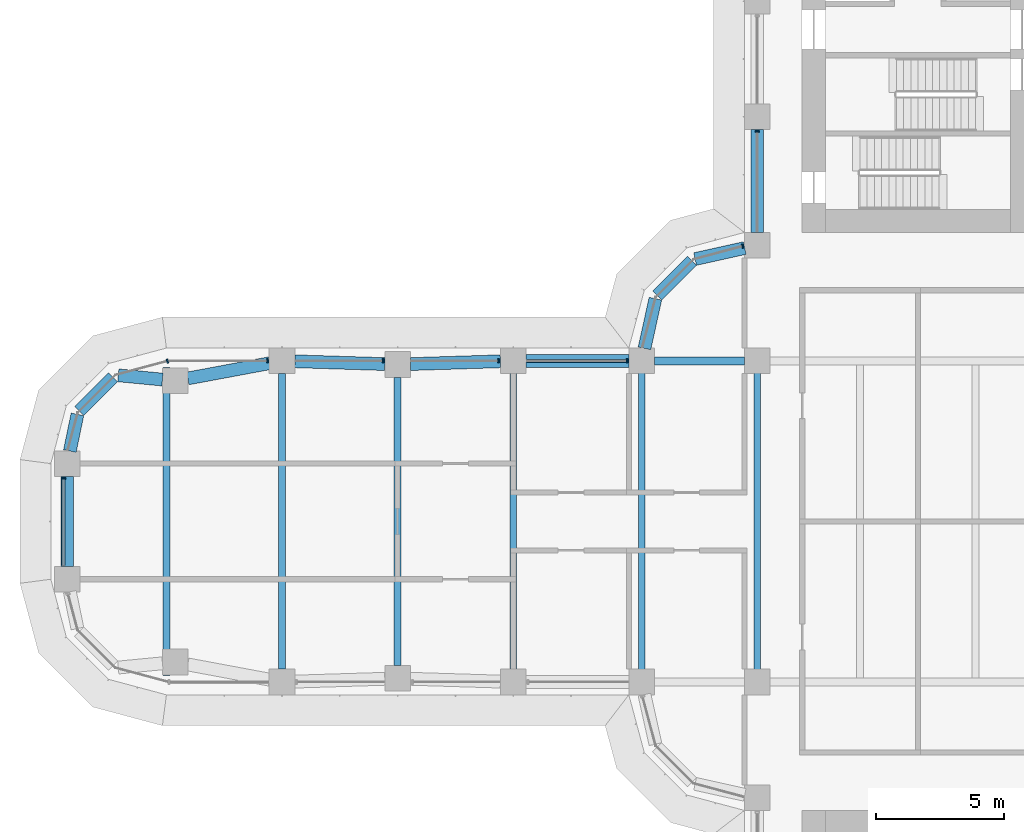
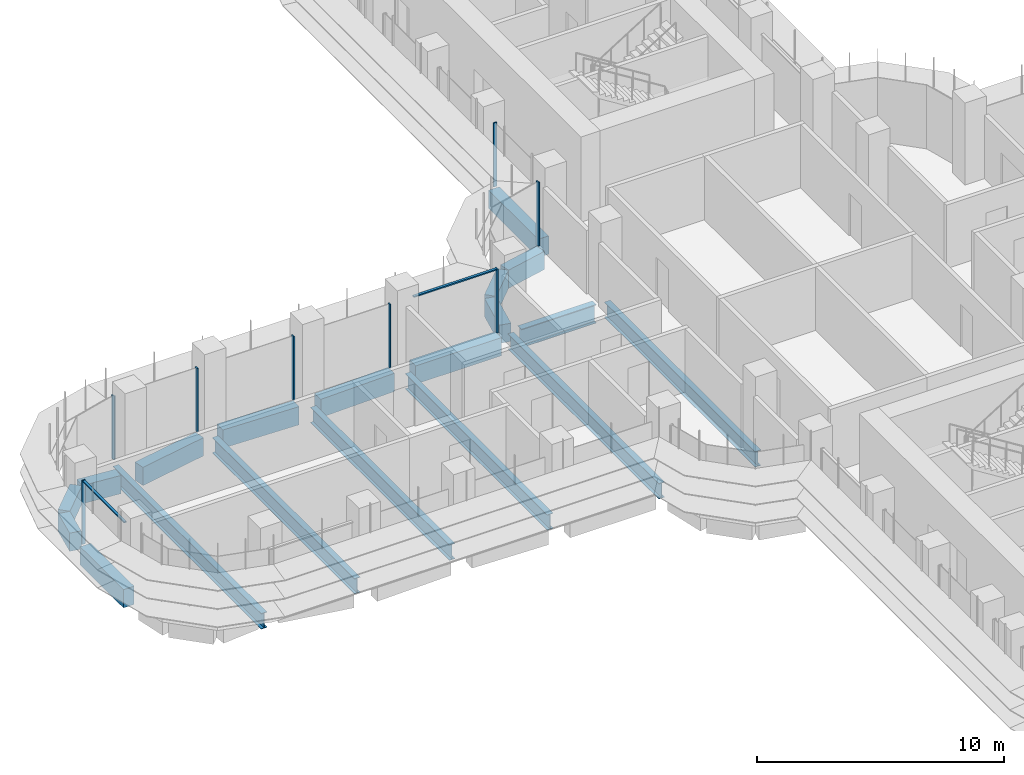
# One storey, part 6 of 23: 19 beams, 10 members, 5 elements without a shape of their own.
"""IFC4 building model written with IfcOpenShell, lengths in metres."""

from ifc_helpers import new_model, si_unit, direction, frame, origin, origin_2d, place, context, subcontext, project, spatial, polyline, rectangle, i_section, outline, extrude, source, transform, mapped, material, material_profile, profile_set, type_object, element, aggregate, save


model = new_model("IFC4")

# Units and contexts
model_context = context("Model", 3, precision=1e-05, world=origin(), true_north=direction((0.0, 1.0)))
body_context = subcontext(model_context, "Body", "Model", "MODEL_VIEW")
ifc_project = project(units=[si_unit("LENGTHUNIT", "METRE"), si_unit("AREAUNIT", "SQUARE_METRE"), si_unit("VOLUMEUNIT", "CUBIC_METRE"), si_unit("PLANEANGLEUNIT", "RADIAN"), si_unit("MASSUNIT", "GRAM", prefix="KILO")], contexts=[model_context])

# Site, building, storey
site_placement = place(None, origin())
site = spatial("IfcSite", under=ifc_project, at=site_placement, CompositionType="ELEMENT")
building_placement = place(site_placement, origin())
building = spatial("IfcBuilding", under=site, at=building_placement, Name="Zarbagh Exchange Tower", CompositionType="ELEMENT")
storey_placement = place(building_placement, frame((0.0, 0.0, 64.800048828125)))
storey = spatial("IfcBuildingStorey", under=building, at=storey_placement, Name="L14", CompositionType="ELEMENT", Elevation=64.800048828125)

# Beams
ifc_material_1 = material(Name="Steel ASTM A992 Gr 50", Category="steel")
ifc_material_profile_1 = material_profile(ifc_material_1, i_section(OverallWidth=0.2666015625, OverallDepth=0.76708984375, WebThickness=0.014892578125, FlangeThickness=0.023681640625, at=origin_2d()), Name="W30X124")
ifc_profile_set_1 = profile_set([ifc_material_profile_1], Name="Steel ASTM A992 Gr 50")
beam_type_1 = type_object("IfcBeamType", Name="Floor beam W30X124", PredefinedType="BEAM", material=ifc_profile_set_1)
for number, where, z_axis, x_axis, name in (
    (1, (-10.75, -6.09765625, -0.533447265625), (0.0, 1.0, 0.0), (-1.0, 0.0, 0.0), "Steel floor beam"),
    (2, (-6.25, -6.09765625, -0.533447265625), (0.0, 1.0, 0.0), (-1.0, 0.0, 0.0), "Steel floor beam"),
):
    element("IfcBeam", number, at=place(storey_placement, frame(where, z_axis=z_axis, x_axis=x_axis)), inside=storey, type_object=beam_type_1, Name=name, PredefinedType="BEAM", context=body_context, shape_type="SweptSolid", body=[
        extrude(i_section(OverallWidth=0.2666015625, OverallDepth=0.76708984375, WebThickness=0.014892578125, FlangeThickness=0.023681640625, at=origin_2d()), origin(), (0.0, 0.0, 1.0), 12.1953125),
    ])
beam_1_placement = place(storey_placement, frame((-15.75, -5.75, -0.533447265625), z_axis=(0.0, 1.0, 0.0), x_axis=(-1.0, 0.0, 0.0)))
element("IfcBeam", 3, at=beam_1_placement, inside=storey, type_object=beam_type_1, Name="Steel floor beam", PredefinedType="BEAM", context=body_context, shape_type="SweptSolid", body=[
    extrude(i_section(OverallWidth=0.2666015625, OverallDepth=0.76708984375, WebThickness=0.014892578125, FlangeThickness=0.023681640625, at=origin_2d()), origin(), (0.0, 0.0, 1.0), 11.5),
])
beam_2_placement = place(storey_placement, frame((-20.25, -5.610107421875, -0.533447265625), z_axis=(0.0, 1.0, 0.0), x_axis=(-1.0, 0.0, 0.0)))
element("IfcBeam", 4, at=beam_2_placement, inside=storey, type_object=beam_type_1, Name="Steel floor beam", PredefinedType="BEAM", context=body_context, shape_type="SweptSolid", body=[
    extrude(i_section(OverallWidth=0.2666015625, OverallDepth=0.76708984375, WebThickness=0.014892578125, FlangeThickness=0.023681640625, at=origin_2d()), origin(), (0.0, 0.0, 1.0), 11.22021484375),
])
beam_3_placement = place(storey_placement, frame((-24.75, -5.75, -0.533447265625), z_axis=(0.0, 1.0, 0.0), x_axis=(-1.0, 0.0, 0.0)))
element("IfcBeam", 5, at=beam_3_placement, inside=storey, type_object=beam_type_1, Name="Steel floor beam", PredefinedType="BEAM", context=body_context, shape_type="SweptSolid", body=[
    extrude(i_section(OverallWidth=0.2666015625, OverallDepth=0.76708984375, WebThickness=0.014892578125, FlangeThickness=0.023681640625, at=origin_2d()), origin(), (0.0, 0.0, 1.0), 11.5),
])
beam_4_placement = place(storey_placement, frame((-29.25, -6.0, -0.533447265625), z_axis=(0.0, 1.0, 0.0), x_axis=(-1.0, 0.0, 0.0)))
element("IfcBeam", 6, at=beam_4_placement, inside=storey, type_object=beam_type_1, Name="Steel floor beam", PredefinedType="BEAM", context=body_context, shape_type="SweptSolid", body=[
    extrude(i_section(OverallWidth=0.2666015625, OverallDepth=0.76708984375, WebThickness=0.014892578125, FlangeThickness=0.023681640625, at=origin_2d()), origin(), (0.0, 0.0, 1.0), 12.0),
])
ifc_material_profile_2 = material_profile(ifc_material_1, i_section(OverallWidth=0.3046875, OverallDepth=0.91943359375, WebThickness=0.017333984375, FlangeThickness=0.02783203125, at=origin_2d()), Name="W36X170")
ifc_profile_set_2 = profile_set([ifc_material_profile_2], Name="Steel ASTM A992 Gr 50")
beam_type_2 = type_object("IfcBeamType", Name="Floor girder W36X170", PredefinedType="BEAM", material=ifc_profile_set_2)
beam_5_placement = place(storey_placement, frame((-10.25, 6.25, -0.60986328125), z_axis=(1.0, 0.0, 0.0), x_axis=(0.0, 1.0, 0.0)))
element("IfcBeam", 7, at=beam_5_placement, inside=storey, type_object=beam_type_2, Name="Steel girder", PredefinedType="BEAM", context=body_context, shape_type="SweptSolid", body=[
    extrude(i_section(OverallWidth=0.3046875, OverallDepth=0.91943359375, WebThickness=0.017333984375, FlangeThickness=0.02783203125, at=origin_2d()), origin(), (0.0, 0.0, 1.0), 3.5),
])
ifc_material_2 = material(Name="Concrete C60/75", Category="concrete")
ifc_material_profile_3 = material_profile(ifc_material_2, rectangle(XDim=0.5, YDim=0.89990234375, at=origin_2d()), Name="RC spandrel beam 500 x 900 C60/75")
ifc_profile_set_3 = profile_set([ifc_material_profile_3], Name="Concrete C60/75")
beam_type_3 = type_object("IfcBeamType", Name="RC spandrel beam 500 x 900 C60/75", PredefinedType="SPANDREL", material=ifc_profile_set_3)
beam_6_placement = place(storey_placement, frame((-33.110107421875, -1.75, -0.60009765625), z_axis=(0.0, 1.0, 0.0), x_axis=(-1.0, 0.0, 0.0)))
element("IfcBeam", 8, at=beam_6_placement, inside=storey, type_object=beam_type_3, Name="RC spandrel beam", PredefinedType="SPANDREL", context=body_context, shape_type="SweptSolid", body=[
    extrude(rectangle(XDim=0.5, YDim=0.89990234375, at=origin_2d()), origin(), (0.0, 0.0, 1.0), 3.5),
])
beam_7_placement = place(storey_placement, frame((-33.0087890625, 2.73974609375, -0.60009765625), z_axis=(0.202068589164, 0.9793713725, 0.0), x_axis=(-0.9793713725, 0.202068589164, 0.0)))
element("IfcBeam", 9, at=beam_7_placement, inside=storey, type_object=beam_type_3, Name="RC spandrel beam", PredefinedType="SPANDREL", context=body_context, shape_type="SweptSolid", body=[
    extrude(rectangle(XDim=0.5, YDim=0.89990234375, at=origin_2d()), origin(), (0.0, 0.0, 1.0), 1.458251953125),
])
beam_8_placement = place(storey_placement, frame((-32.64599609375, 4.294189453125, -0.60009765625), z_axis=(0.707172099812, 0.707041456527, 0.0), x_axis=(-0.707041456527, 0.707172099812, 0.0)))
element("IfcBeam", 10, at=beam_8_placement, inside=storey, type_object=beam_type_3, Name="RC spandrel beam", PredefinedType="SPANDREL", context=body_context, shape_type="SweptSolid", body=[
    extrude(rectangle(XDim=0.5, YDim=0.89990234375, at=origin_2d()), origin(), (0.0, 0.0, 1.0), 1.86865234375),
])
beam_9_placement = place(storey_placement, frame((-31.123779296875, 5.6875, -0.60009765625), z_axis=(0.995431032456, -0.095483294999, 0.0), x_axis=(0.095483294999, 0.995431032456, 0.0)))
element("IfcBeam", 11, at=beam_9_placement, inside=storey, type_object=beam_type_3, Name="RC spandrel beam", PredefinedType="SPANDREL", context=body_context, shape_type="SweptSolid", body=[
    extrude(rectangle(XDim=0.5, YDim=0.89990234375, at=origin_2d()), origin(), (0.0, 0.0, 1.0), 1.725830078125),
])
beam_10_placement = place(storey_placement, frame((-28.41650390625, 5.566650390625, -0.60009765625), z_axis=(0.983069300761, 0.183234139565, 0.0), x_axis=(-0.183234139565, 0.983069300761, 0.0)))
element("IfcBeam", 12, at=beam_10_placement, inside=storey, type_object=beam_type_3, Name="RC spandrel beam", PredefinedType="SPANDREL", context=body_context, shape_type="SweptSolid", body=[
    extrude(rectangle(XDim=0.5, YDim=0.89990234375, at=origin_2d()), origin(), (0.0, 0.0, 1.0), 3.229736328125),
])
for number, where, z_axis, x_axis, name in (
    (13, (-24.250244140625, 6.234619140625, -0.60009765625), (0.999514385708, -0.031160756759, 0.0), (0.031160756759, 0.999514385708, 0.0), "RC spandrel beam"),
    (14, (-19.750244140625, 6.12548828125, -0.60009765625), (0.999514385708, 0.031160756759, 0.0), (-0.031160756759, 0.999514385708, 0.0), "RC spandrel beam"),
):
    element("IfcBeam", number, at=place(storey_placement, frame(where, z_axis=z_axis, x_axis=x_axis)), inside=storey, type_object=beam_type_3, Name=name, PredefinedType="SPANDREL", context=body_context, shape_type="SweptSolid", body=[
        extrude(rectangle(XDim=0.5, YDim=0.89990234375, at=origin_2d()), origin(), (0.0, 0.0, 1.0), 3.502197265625),
    ])
beam_11_placement = place(storey_placement, frame((-15.25, 6.25, -0.60009765625), z_axis=(1.0, 0.0, 0.0), x_axis=(0.0, 1.0, 0.0)))
element("IfcBeam", 15, at=beam_11_placement, inside=storey, type_object=beam_type_3, Name="RC spandrel beam", PredefinedType="SPANDREL", context=body_context, shape_type="SweptSolid", body=[
    extrude(rectangle(XDim=0.5, YDim=0.89990234375, at=origin_2d()), origin(), (0.0, 0.0, 1.0), 4.0),
])
beam_12_placement = place(storey_placement, frame((-10.64208984375, 6.73828125, -0.60009765625), z_axis=(0.216081063242, 0.976375426825, 0.0), x_axis=(-0.976375426825, 0.216081063242, 0.0)))
element("IfcBeam", 16, at=beam_12_placement, inside=storey, type_object=beam_type_3, Name="RC spandrel beam", PredefinedType="SPANDREL", context=body_context, shape_type="SweptSolid", body=[
    extrude(rectangle(XDim=0.5, YDim=0.89990234375, at=origin_2d()), origin(), (0.0, 0.0, 1.0), 1.978271484375),
])
beam_13_placement = place(storey_placement, frame((-10.147216796875, 8.792724609375, -0.60009765625), z_axis=(0.707106781187, 0.707106781187, 0.0), x_axis=(-0.707106781187, 0.707106781187, 0.0)))
element("IfcBeam", 17, at=beam_13_placement, inside=storey, type_object=beam_type_3, Name="RC spandrel beam", PredefinedType="SPANDREL", context=body_context, shape_type="SweptSolid", body=[
    extrude(rectangle(XDim=0.5, YDim=0.89990234375, at=origin_2d()), origin(), (0.0, 0.0, 1.0), 1.91552734375),
])
beam_14_placement = place(storey_placement, frame((-8.669921875, 10.214599609375, -0.60009765625), z_axis=(0.976375426825, 0.216081063242, 0.0), x_axis=(-0.216081063242, 0.976375426825, 0.0)))
element("IfcBeam", 18, at=beam_14_placement, inside=storey, type_object=beam_type_3, Name="RC spandrel beam", PredefinedType="SPANDREL", context=body_context, shape_type="SweptSolid", body=[
    extrude(rectangle(XDim=0.5, YDim=0.89990234375, at=origin_2d()), origin(), (0.0, 0.0, 1.0), 1.978271484375),
])
beam_15_placement = place(storey_placement, frame((-6.25, 11.25, -0.60009765625), z_axis=(0.0, 1.0, 0.0), x_axis=(-1.0, 0.0, 0.0)))
element("IfcBeam", 19, at=beam_15_placement, inside=storey, type_object=beam_type_3, Name="RC spandrel beam", PredefinedType="SPANDREL", context=body_context, shape_type="SweptSolid", body=[
    extrude(rectangle(XDim=0.5, YDim=0.89990234375, at=origin_2d()), origin(), (0.0, 0.0, 1.0), 4.0),
])

# Curtain wall, member
ifc_material_3 = material(Name="Anodised aluminium frame and glazing", Category="aluminium")
curtain_wall_type = type_object("IfcCurtainWallType", Name="CWA Ribbon glazing, lower zones", PredefinedType="NOTDEFINED", material=ifc_material_3)
curtain_wall_1_placement = place(storey_placement, origin())
curtain_wall_1 = element("IfcCurtainWall", 20, at=curtain_wall_1_placement, inside=storey, type_object=curtain_wall_type, Name="CWA28 curtain wall", PredefinedType="NOTDEFINED")
ifc_material_4 = material(Name="Anodised aluminium frame", Category="aluminium")
member_type_1 = type_object("IfcMemberType", Name="MUA Mullion, anodised aluminium frame", PredefinedType="MULLION", material=ifc_material_4)
shared_shape_1 = source(origin(), body_context, "Body", "SweptSolid", [
    extrude(outline(polyline([(0.0, -0.080078125), (0.06005859375, -0.080078125), (0.06005859375, 0.080078125), (0.0, 0.080078125), (0.0, -0.080078125)])), origin(), (0.0, 0.0, 1.0), 3.14990234375),
])
placement = place(storey_placement, origin())
member_1 = element("IfcMember", 21, at=placement, type_object=member_type_1, Name="CWA28 mullion 5.1", PredefinedType="MULLION", context=body_context, shape_type="MappedRepresentation", body=[
    mapped(shared_shape_1, transform((-6.25, 15.2099609375, 0.0), x_axis=(0.0, -1.0, 0.0), y_axis=(1.0, 0.0, 0.0), z_axis=(0.0, 0.0, 1.0))),
])
aggregate(curtain_wall_1, [member_1])

curtain_wall_2_placement = place(storey_placement, origin())
curtain_wall_2 = element("IfcCurtainWall", 22, at=curtain_wall_2_placement, inside=storey, type_object=curtain_wall_type, Name="CWA29 curtain wall", PredefinedType="NOTDEFINED")
member_2 = element("IfcMember", 23, at=placement, type_object=member_type_1, Name="CWA29 mullion 1.1", PredefinedType="MULLION", context=body_context, shape_type="MappedRepresentation", body=[
    mapped(shared_shape_1, transform((-6.7900390625, 10.7216796875, 0.0), x_axis=(-0.965924289636, -0.258824779902, 0.0), y_axis=(0.258824779902, -0.965924289636, 0.0), z_axis=(0.0, 0.0, 1.0))),
])
aggregate(curtain_wall_2, [member_2])

# Curtain wall, members
curtain_wall_3_placement = place(storey_placement, origin())
curtain_wall_3 = element("IfcCurtainWall", 24, at=curtain_wall_3_placement, inside=storey, type_object=curtain_wall_type, Name="CWA32 curtain wall", PredefinedType="NOTDEFINED")
member_3 = element("IfcMember", 25, at=placement, type_object=member_type_1, Name="CWA32 mullion 1.1", PredefinedType="MULLION", context=body_context, shape_type="MappedRepresentation", body=[
    mapped(shared_shape_1, transform((-11.2900390625, 6.25, 0.0), x_axis=(-1.0, 0.0, 0.0), y_axis=(0.0, -1.0, 0.0), z_axis=(0.0, 0.0, 1.0))),
])
member_4 = element("IfcMember", 26, at=placement, type_object=member_type_1, Name="CWA32 mullion 2.1", PredefinedType="MULLION", context=body_context, shape_type="MappedRepresentation", body=[
    mapped(shared_shape_1, transform((-16.2900390625, 6.25, 0.0), x_axis=(-1.0, 0.0, 0.0), y_axis=(0.0, -1.0, 0.0), z_axis=(0.0, 0.0, 1.0))),
])
member_5 = element("IfcMember", 27, at=placement, type_object=member_type_1, Name="CWA32 mullion 3.1", PredefinedType="MULLION", context=body_context, shape_type="MappedRepresentation", body=[
    mapped(shared_shape_1, transform((-20.7900390625, 6.25, 0.0), x_axis=(-1.0, 0.0, 0.0), y_axis=(0.0, -1.0, 0.0), z_axis=(0.0, 0.0, 1.0))),
])
member_6 = element("IfcMember", 28, at=placement, type_object=member_type_1, Name="CWA32 mullion 4.1", PredefinedType="MULLION", context=body_context, shape_type="MappedRepresentation", body=[
    mapped(shared_shape_1, transform((-25.2900390625, 6.25, 0.0), x_axis=(-1.0, 0.0, 0.0), y_axis=(0.0, -1.0, 0.0), z_axis=(0.0, 0.0, 1.0))),
])

# Curtain wall, member
curtain_wall_4_placement = place(storey_placement, origin())
curtain_wall_4 = element("IfcCurtainWall", 29, at=curtain_wall_4_placement, inside=storey, type_object=curtain_wall_type, Name="CWA33 curtain wall", PredefinedType="NOTDEFINED")
member_7 = element("IfcMember", 30, at=placement, type_object=member_type_1, Name="CWA33 mullion 1.1", PredefinedType="MULLION", context=body_context, shape_type="MappedRepresentation", body=[
    mapped(shared_shape_1, transform((-29.18408203125, 6.25, 0.0), x_axis=(-0.965924289636, -0.258824779902, 0.0), y_axis=(0.258824779902, -0.965924289636, 0.0), z_axis=(0.0, 0.0, 1.0))),
])
aggregate(curtain_wall_4, [member_7])

curtain_wall_5_placement = place(storey_placement, origin())
curtain_wall_5 = element("IfcCurtainWall", 31, at=curtain_wall_5_placement, inside=storey, type_object=curtain_wall_type, Name="CWA36 curtain wall", PredefinedType="NOTDEFINED")
member_8 = element("IfcMember", 32, at=placement, type_object=member_type_1, Name="CWA36 mullion 1.1", PredefinedType="MULLION", context=body_context, shape_type="MappedRepresentation", body=[
    mapped(shared_shape_1, transform((-33.25, 1.7099609375, 0.0), x_axis=(0.0, -1.0, 0.0), y_axis=(1.0, 0.0, 0.0), z_axis=(0.0, 0.0, 1.0))),
])

# Member
member_type_2 = type_object("IfcMemberType", Name="TRA Transom, anodised aluminium frame", PredefinedType="USERDEFINED", material=ifc_material_4)
shared_shape_2 = source(origin(), body_context, "Body", "SweptSolid", [
    extrude(outline(polyline([(-0.06005859375, -0.06005859375), (0.0, -0.06005859375), (0.0, 0.06005859375), (-0.06005859375, 0.06005859375), (-0.06005859375, -0.06005859375)])), origin(), (0.0, 0.0, 1.0), 3.860107421875),
])
member_9 = element("IfcMember", 33, at=placement, type_object=member_type_2, Name="CWA32 transom 1.1", ObjectType="TRANSOM", PredefinedType="USERDEFINED", context=body_context, shape_type="MappedRepresentation", body=[
    mapped(shared_shape_2, transform((-11.35009765625, 6.25, 3.14990234375), x_axis=(0.0, 0.0, 1.0), y_axis=(0.0, 1.0, 0.0), z_axis=(-1.0, 0.0, 0.0))),
])

aggregate(curtain_wall_3, [member_3, member_9, member_4, member_5, member_6])

shared_shape_3 = source(origin(), body_context, "Body", "SweptSolid", [
    extrude(outline(polyline([(-0.06005859375, -0.06005859375), (0.0, -0.06005859375), (0.0, 0.06005859375), (-0.06005859375, 0.06005859375), (-0.06005859375, -0.06005859375)])), origin(), (0.0, 0.0, 1.0), 3.360107421875),
])
member_10 = element("IfcMember", 34, at=placement, type_object=member_type_2, Name="CWA36 transom 1.1", ObjectType="TRANSOM", PredefinedType="USERDEFINED", context=body_context, shape_type="MappedRepresentation", body=[
    mapped(shared_shape_3, transform((-33.25, 1.64990234375, 3.14990234375), x_axis=(0.0, 0.0, 1.0), y_axis=(-1.0, 0.0, 0.0), z_axis=(0.0, -1.0, 0.0))),
])

aggregate(curtain_wall_5, [member_8, member_10])

save(model, "model.ifc")
